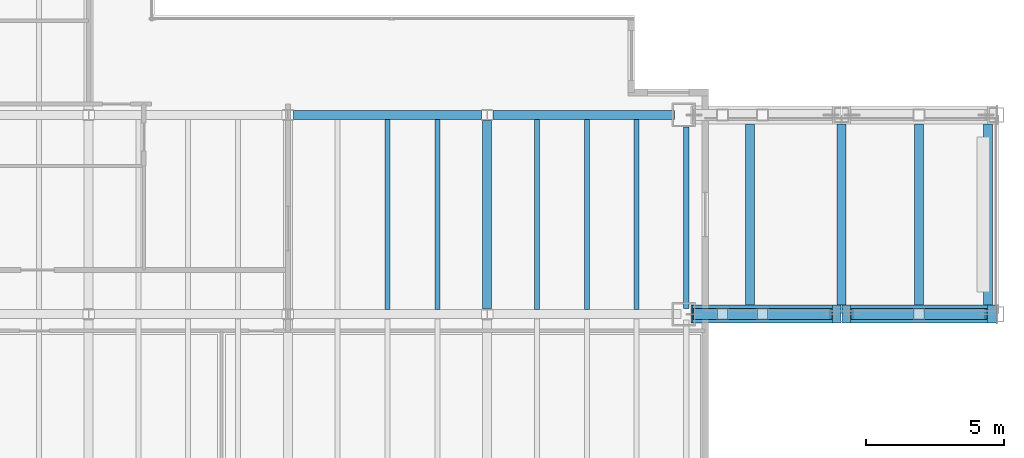
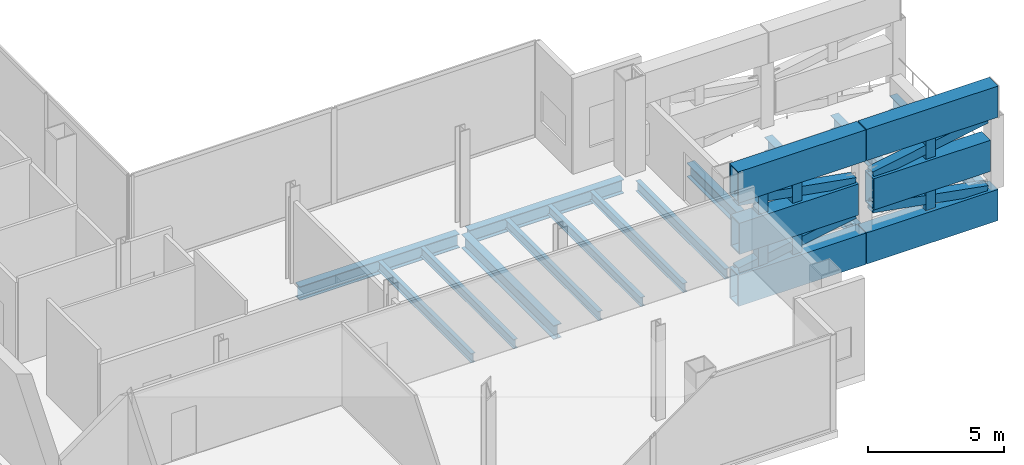
# One storey, part 9 of 20: 19 beams, 7 members.
"""IFC4 building model written with IfcOpenShell, lengths in metres."""

from ifc_helpers import new_model, si_unit, direction, frame, origin, origin_2d, place, context, subcontext, project, spatial, hollow_rectangle, i_section, extrude, material, material_profile, profile_set, type_object, element, save


model = new_model("IFC4")

# Units and contexts
model_context = context("Model", 3, precision=1e-05, world=origin(), true_north=direction((0.0, 1.0)))
body_context = subcontext(model_context, "Body", "Model", "MODEL_VIEW")
ifc_project = project(units=[si_unit("LENGTHUNIT", "METRE"), si_unit("AREAUNIT", "SQUARE_METRE"), si_unit("VOLUMEUNIT", "CUBIC_METRE"), si_unit("PLANEANGLEUNIT", "RADIAN"), si_unit("MASSUNIT", "GRAM", prefix="KILO")], contexts=[model_context])

# Site, building, storey
site_placement = place(None, origin())
site = spatial("IfcSite", under=ifc_project, at=site_placement, CompositionType="ELEMENT")
building_placement = place(site_placement, origin())
building = spatial("IfcBuilding", under=site, at=building_placement, Name="Cobrela Telecom Tower", CompositionType="ELEMENT")
storey_placement = place(building_placement, frame((0.0, 0.0, 168.699951171875)))
storey = spatial("IfcBuildingStorey", under=building, at=storey_placement, Name="L42", CompositionType="ELEMENT", Elevation=168.699951171875)

# Beams
ifc_material_1 = material(Name="Steel ASTM A992 Grade 50", Category="steel")
ifc_material_profile_1 = material_profile(ifc_material_1, i_section(OverallWidth=0.327880859375, OverallDepth=0.6220703125, WebThickness=0.015380859375, FlangeThickness=0.0244140625, FilletRadius=0.014892578125, at=origin_2d()), Name="W24X131")
ifc_profile_set_1 = profile_set([ifc_material_profile_1], Name="Steel ASTM A992 Grade 50")
beam_type_1 = type_object("IfcBeamType", Name="BM-GIRD-06", PredefinedType="USERDEFINED", material=ifc_profile_set_1)
beam_1_placement = place(storey_placement, frame((29.00439453125, 21.60009765625, -0.61083984375), z_axis=(1.0, 0.0, 0.0), x_axis=(0.0, 1.0, 0.0)))
element("IfcBeam", 1, at=beam_1_placement, inside=storey, type_object=beam_type_1, Name="L42 Primary Girder X17", ObjectType="GIRDER", PredefinedType="USERDEFINED", context=body_context, shape_type="SweptSolid", body=[
    extrude(i_section(OverallWidth=0.327880859375, OverallDepth=0.6220703125, WebThickness=0.015380859375, FlangeThickness=0.0244140625, FilletRadius=0.014892578125, at=origin_2d()), origin(), (0.0, 0.0, 1.0), 6.791015625),
])
beam_2_placement = place(storey_placement, frame((36.20458984375, 21.60009765625, -0.61083984375), z_axis=(1.0, 0.0, 0.0), x_axis=(0.0, 1.0, 0.0)))
element("IfcBeam", 2, at=beam_2_placement, inside=storey, type_object=beam_type_1, Name="L42 Primary Girder X18", ObjectType="GIRDER", PredefinedType="USERDEFINED", context=body_context, shape_type="SweptSolid", body=[
    extrude(i_section(OverallWidth=0.327880859375, OverallDepth=0.6220703125, WebThickness=0.015380859375, FlangeThickness=0.0244140625, FilletRadius=0.014892578125, at=origin_2d()), origin(), (0.0, 0.0, 1.0), 6.5654296875),
])
beam_3_placement = place(storey_placement, frame((36.0, 14.6044921875, -0.61083984375), z_axis=(0.0, 1.0, 0.0), x_axis=(-1.0, 0.0, 0.0)))
element("IfcBeam", 3, at=beam_3_placement, inside=storey, type_object=beam_type_1, Name="L42 Primary Girder Y40", ObjectType="GIRDER", PredefinedType="USERDEFINED", context=body_context, shape_type="SweptSolid", body=[
    extrude(i_section(OverallWidth=0.327880859375, OverallDepth=0.6220703125, WebThickness=0.015380859375, FlangeThickness=0.0244140625, FilletRadius=0.014892578125, at=origin_2d()), origin(), (0.0, 0.0, 1.0), 6.791015625),
])
for number, where, z_axis, x_axis, name in (
    (4, (45.5, 14.72998046875, -0.660888671875), (0.0, 1.0, 0.0), (-1.0, 0.0, 0.0), "L42 Sky Pool Transverse Deck Beam 1"),
    (5, (48.800048828125, 14.72998046875, -0.660888671875), (0.0, 1.0, 0.0), (-1.0, 0.0, 0.0), "L42 Sky Pool Transverse Deck Beam 2"),
    (6, (51.60009765625, 14.72998046875, -0.660888671875), (0.0, 1.0, 0.0), (-1.0, 0.0, 0.0), "L42 Sky Pool Transverse Deck Beam 3"),
    (7, (54.10009765625, 14.72998046875, -0.660888671875), (0.0, 1.0, 0.0), (-1.0, 0.0, 0.0), "L42 Sky Pool Transverse Deck Beam 4"),
):
    element("IfcBeam", number, at=place(storey_placement, frame(where, z_axis=z_axis, x_axis=x_axis)), inside=storey, type_object=beam_type_1, Name=name, ObjectType="GIRDER", PredefinedType="USERDEFINED", context=body_context, shape_type="SweptSolid", body=[
        extrude(i_section(OverallWidth=0.327880859375, OverallDepth=0.6220703125, WebThickness=0.015380859375, FlangeThickness=0.0244140625, FilletRadius=0.014892578125, at=origin_2d()), origin(), (0.0, 0.0, 1.0), 6.5400390625),
    ])
ifc_material_profile_2 = material_profile(ifc_material_1, i_section(OverallWidth=0.179931640625, OverallDepth=0.4169921875, WebThickness=0.010986328125, FlangeThickness=0.01806640625, FilletRadius=0.011962890625, at=origin_2d()), Name="W16X57")
ifc_profile_set_2 = profile_set([ifc_material_profile_2], Name="Steel ASTM A992 Grade 50")
beam_type_2 = type_object("IfcBeamType", Name="BM-JOIST-04", PredefinedType="JOIST", material=ifc_profile_set_2)
for number, where, z_axis, x_axis, name in (
    (8, (32.39990234375, 14.569091796875, -0.508544921875), (0.0, 1.0, 0.0), (-1.0, 0.0, 0.0), "L42 Secondary Composite Floor Beam J25"),
    (9, (34.199951171875, 14.569091796875, -0.508544921875), (0.0, 1.0, 0.0), (-1.0, 0.0, 0.0), "L42 Secondary Composite Floor Beam J27"),
    (10, (37.800048828125, 14.569091796875, -0.508544921875), (0.0, 1.0, 0.0), (-1.0, 0.0, 0.0), "L42 Secondary Composite Floor Beam J29"),
    (11, (39.60009765625, 14.569091796875, -0.508544921875), (0.0, 1.0, 0.0), (-1.0, 0.0, 0.0), "L42 Secondary Composite Floor Beam J31"),
    (12, (41.39990234375, 14.569091796875, -0.508544921875), (0.0, 1.0, 0.0), (-1.0, 0.0, 0.0), "L42 Secondary Composite Floor Beam J33"),
):
    element("IfcBeam", number, at=place(storey_placement, frame(where, z_axis=z_axis, x_axis=x_axis)), inside=storey, type_object=beam_type_2, Name=name, PredefinedType="JOIST", context=body_context, shape_type="SweptSolid", body=[
        extrude(i_section(OverallWidth=0.179931640625, OverallDepth=0.4169921875, WebThickness=0.010986328125, FlangeThickness=0.01806640625, FilletRadius=0.011962890625, at=origin_2d()), origin(), (0.0, 0.0, 1.0), 6.86181640625),
    ])
ifc_material_2 = material(Name="Steel ASTM A572 Grade 50", Category="steel")
ifc_material_profile_3 = material_profile(ifc_material_2, hollow_rectangle(XDim=0.64990234375, YDim=1.39990234375, WallThickness=0.054931640625, at=origin_2d()), Name="BOX 1400x650x55")
ifc_profile_set_3 = profile_set([ifc_material_profile_3], Name="Steel ASTM A572 Grade 50")
beam_type_3 = type_object("IfcBeamType", Name="BM-SP-CHD", PredefinedType="USERDEFINED", material=ifc_profile_set_3)
beam_4_placement = place(storey_placement, frame((43.3701171875, 14.39990234375, -1.050048828125), z_axis=(1.0, 0.0, 0.0), x_axis=(0.0, 1.0, 0.0)))
element("IfcBeam", 13, at=beam_4_placement, inside=storey, type_object=beam_type_3, Name="L42 Sky Pool Bottom Chord 1.1", ObjectType="GIRDER", PredefinedType="USERDEFINED", context=body_context, shape_type="SweptSolid", body=[
    extrude(hollow_rectangle(XDim=0.64990234375, YDim=1.39990234375, WallThickness=0.054931640625, at=origin_2d()), origin(), (0.0, 0.0, 1.0), 5.409912109375),
])
beam_5_placement = place(storey_placement, frame((43.419921875, 14.39990234375, 1.27001953125), z_axis=(1.0, 0.0, 0.0), x_axis=(0.0, 1.0, 0.0)))
element("IfcBeam", 14, at=beam_5_placement, inside=storey, type_object=beam_type_3, Name="L42 Sky Pool Mid Chord 1.1", ObjectType="GIRDER", PredefinedType="USERDEFINED", context=body_context, shape_type="SweptSolid", body=[
    extrude(hollow_rectangle(XDim=0.64990234375, YDim=1.39990234375, WallThickness=0.054931640625, at=origin_2d()), origin(), (0.0, 0.0, 1.0), 5.06005859375),
])
beam_6_placement = place(storey_placement, frame((43.3701171875, 14.39990234375, 3.590087890625), z_axis=(1.0, 0.0, 0.0), x_axis=(0.0, 1.0, 0.0)))
element("IfcBeam", 15, at=beam_6_placement, inside=storey, type_object=beam_type_3, Name="L42 Sky Pool Top Chord 1.1", ObjectType="GIRDER", PredefinedType="USERDEFINED", context=body_context, shape_type="SweptSolid", body=[
    extrude(hollow_rectangle(XDim=0.64990234375, YDim=1.39990234375, WallThickness=0.054931640625, at=origin_2d()), origin(), (0.0, 0.0, 1.0), 5.409912109375),
])
beam_7_placement = place(storey_placement, frame((48.820068359375, 14.39990234375, -1.050048828125), z_axis=(1.0, 0.0, 0.0), x_axis=(0.0, 1.0, 0.0)))
element("IfcBeam", 16, at=beam_7_placement, inside=storey, type_object=beam_type_3, Name="L42 Sky Pool Bottom Chord 1.2", ObjectType="GIRDER", PredefinedType="USERDEFINED", context=body_context, shape_type="SweptSolid", body=[
    extrude(hollow_rectangle(XDim=0.64990234375, YDim=1.39990234375, WallThickness=0.054931640625, at=origin_2d()), origin(), (0.0, 0.0, 1.0), 5.579833984375),
])
beam_8_placement = place(storey_placement, frame((49.1201171875, 14.39990234375, 1.27001953125), z_axis=(1.0, 0.0, 0.0), x_axis=(0.0, 1.0, 0.0)))
element("IfcBeam", 17, at=beam_8_placement, inside=storey, type_object=beam_type_3, Name="L42 Sky Pool Mid Chord 1.2", ObjectType="GIRDER", PredefinedType="USERDEFINED", context=body_context, shape_type="SweptSolid", body=[
    extrude(hollow_rectangle(XDim=0.64990234375, YDim=1.39990234375, WallThickness=0.054931640625, at=origin_2d()), origin(), (0.0, 0.0, 1.0), 4.9599609375),
])
beam_9_placement = place(storey_placement, frame((48.820068359375, 14.39990234375, 3.590087890625), z_axis=(1.0, 0.0, 0.0), x_axis=(0.0, 1.0, 0.0)))
element("IfcBeam", 18, at=beam_9_placement, inside=storey, type_object=beam_type_3, Name="L42 Sky Pool Top Chord 1.2", ObjectType="GIRDER", PredefinedType="USERDEFINED", context=body_context, shape_type="SweptSolid", body=[
    extrude(hollow_rectangle(XDim=0.64990234375, YDim=1.39990234375, WallThickness=0.054931640625, at=origin_2d()), origin(), (0.0, 0.0, 1.0), 5.579833984375),
])
ifc_material_profile_4 = material_profile(ifc_material_1, i_section(OverallWidth=0.193115234375, OverallDepth=0.467041015625, WebThickness=0.011474609375, FlangeThickness=0.01904296875, FilletRadius=0.012939453125, at=origin_2d()), Name="W18X65")
ifc_profile_set_4 = profile_set([ifc_material_profile_4], Name="Steel ASTM A992 Grade 50")
beam_type_4 = type_object("IfcBeamType", Name="BM-SPAND-05", PredefinedType="SPANDREL", material=ifc_profile_set_4)
beam_10_placement = place(storey_placement, frame((43.199951171875, 14.6044921875, -0.533447265625), z_axis=(0.0, 1.0, 0.0), x_axis=(-1.0, 0.0, 0.0)))
element("IfcBeam", 19, at=beam_10_placement, inside=storey, type_object=beam_type_4, Name="L42 Perimeter Spandrel Y42", PredefinedType="SPANDREL", context=body_context, shape_type="SweptSolid", body=[
    extrude(i_section(OverallWidth=0.193115234375, OverallDepth=0.467041015625, WebThickness=0.011474609375, FlangeThickness=0.01904296875, FilletRadius=0.012939453125, at=origin_2d()), origin(), (0.0, 0.0, 1.0), 6.5654296875),
])

# Members
ifc_material_profile_5 = material_profile(ifc_material_2, hollow_rectangle(XDim=0.39990234375, YDim=0.39990234375, WallThickness=0.02001953125, at=origin_2d()), Name="HSS 400x400x20")
ifc_profile_set_5 = profile_set([ifc_material_profile_5], Name="Steel ASTM A572 Grade 50")
member_type_1 = type_object("IfcMemberType", Name="MBR-SP-POST", PredefinedType="STRUT", material=ifc_profile_set_5)
for number, where, z_axis, x_axis, name in (
    (20, (45.949951171875, 14.39990234375, -0.33984375), (0.0, 0.0, 1.0), (1.0, 0.0, 0.0), "L42 Sky Pool Truss Web Post 1.1"),
    (21, (51.60009765625, 14.39990234375, -0.33984375), (0.0, 0.0, 1.0), (1.0, 0.0, 0.0), "L42 Sky Pool Truss Web Post 1.2"),
    (22, (44.5, 14.39990234375, -0.33984375), (0.0, 0.0, 1.0), (1.0, 0.0, 0.0), "L42 Sky Pool Truss Web Post 1.3"),
):
    element("IfcMember", number, at=place(storey_placement, frame(where, z_axis=z_axis, x_axis=x_axis)), inside=storey, type_object=member_type_1, Name=name, PredefinedType="STRUT", context=body_context, shape_type="SweptSolid", body=[
        extrude(hollow_rectangle(XDim=0.39990234375, YDim=0.39990234375, WallThickness=0.02001953125, at=origin_2d()), origin(), (0.0, 0.0, 1.0), 3.219970703125),
    ])
ifc_material_profile_6 = material_profile(ifc_material_2, hollow_rectangle(XDim=0.39990234375, YDim=0.39990234375, WallThickness=0.02001953125, at=origin_2d()), Name="HSS 400x400x20")
ifc_profile_set_6 = profile_set([ifc_material_profile_6], Name="Steel ASTM A572 Grade 50")
member_type_2 = type_object("IfcMemberType", Name="MBR-SP-WEB", PredefinedType="BRACE", material=ifc_profile_set_6)
member_1_placement = place(storey_placement, frame((43.47998046875, 14.39990234375, -0.329833984375), z_axis=(0.984505064565, 0.0, 0.17535614573), x_axis=(0.0, 1.0, 0.0)))
element("IfcMember", 23, at=member_1_placement, inside=storey, type_object=member_type_2, Name="L42 Sky Pool Truss Web Diagonal 1.1.1", PredefinedType="BRACE", context=body_context, shape_type="SweptSolid", body=[
    extrude(hollow_rectangle(XDim=0.39990234375, YDim=0.39990234375, WallThickness=0.02001953125, at=origin_2d()), origin(), (0.0, 0.0, 1.0), 5.017578125),
])
member_2_placement = place(storey_placement, frame((48.419921875, 14.39990234375, 1.989990234375), z_axis=(-0.984496663587, 0.0, 0.175403304944), x_axis=(0.0, -1.0, 0.0)))
element("IfcMember", 24, at=member_2_placement, inside=storey, type_object=member_type_2, Name="L42 Sky Pool Truss Web Diagonal 1.1.2", PredefinedType="BRACE", context=body_context, shape_type="SweptSolid", body=[
    extrude(hollow_rectangle(XDim=0.39990234375, YDim=0.39990234375, WallThickness=0.02001953125, at=origin_2d()), origin(), (0.0, 0.0, 1.0), 5.017822265625),
])
for number, where, z_axis, x_axis, name in (
    (25, (54.02001953125, 14.39990234375, -0.329833984375), (-0.983874674037, 0.0, 0.178859234564), (0.0, -1.0, 0.0), "L42 Sky Pool Truss Web Diagonal 1.2.1"),
    (26, (49.179931640625, 14.39990234375, 1.989990234375), (0.983865939655, 0.0, 0.178907274273), (0.0, 1.0, 0.0), "L42 Sky Pool Truss Web Diagonal 1.2.2"),
):
    element("IfcMember", number, at=place(storey_placement, frame(where, z_axis=z_axis, x_axis=x_axis)), inside=storey, type_object=member_type_2, Name=name, PredefinedType="BRACE", context=body_context, shape_type="SweptSolid", body=[
        extrude(hollow_rectangle(XDim=0.39990234375, YDim=0.39990234375, WallThickness=0.02001953125, at=origin_2d()), origin(), (0.0, 0.0, 1.0), 4.91943359375),
    ])

save(model, "model.ifc")
